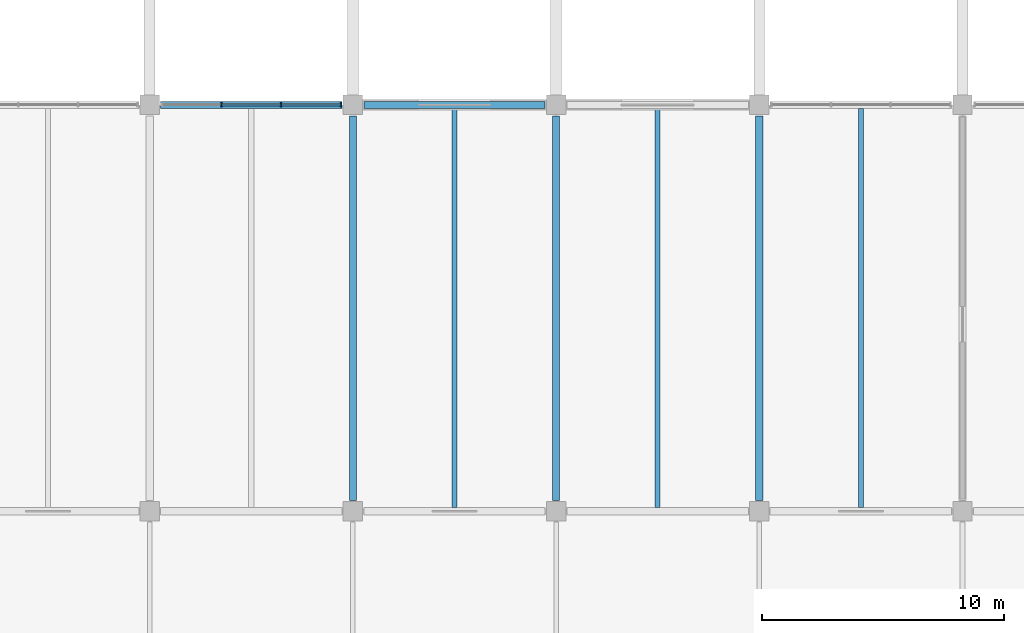
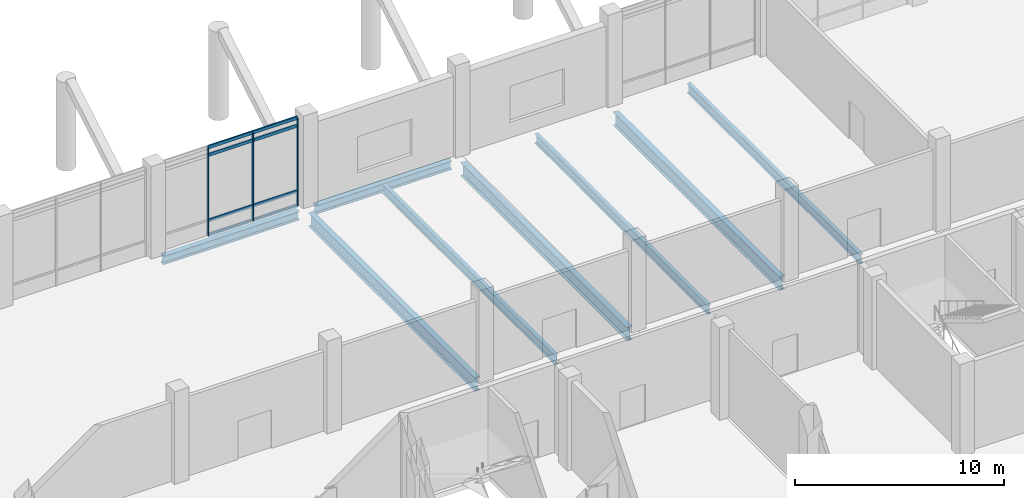
# One storey, part 11 of 72: 11 members, 8 beams, 1 element without a shape of its own.
"""IFC4 building model written with IfcOpenShell, lengths in metres."""

from ifc_helpers import new_model, si_unit, direction, frame, origin, origin_2d, place, context, subcontext, project, spatial, rectangle, i_section, extrude, material, layer, layer_set, material_profile, profile_set, type_object, element, aggregate, save


model = new_model("IFC4")

# Units and contexts
model_context = context("Model", 3, precision=1e-05, world=origin(), true_north=direction((0.0, 1.0)))
body_context = subcontext(model_context, "Body", "Model", "MODEL_VIEW")
ifc_project = project(units=[si_unit("LENGTHUNIT", "METRE"), si_unit("AREAUNIT", "SQUARE_METRE"), si_unit("VOLUMEUNIT", "CUBIC_METRE"), si_unit("PLANEANGLEUNIT", "RADIAN"), si_unit("MASSUNIT", "GRAM", prefix="KILO")], contexts=[model_context])

# Site, building, storey
site_placement = place(None, origin())
site = spatial("IfcSite", under=ifc_project, at=site_placement, CompositionType="ELEMENT")
building_placement = place(site_placement, origin())
building = spatial("IfcBuilding", under=site, at=building_placement, Name="Qawsi Khor Wholesale Market", CompositionType="ELEMENT")
storey_placement = place(building_placement, frame((0.0, 0.0, 6.0)))
storey = spatial("IfcBuildingStorey", under=building, at=storey_placement, Name="L01", CompositionType="ELEMENT", Elevation=6.0)

# Curtain wall, members
ifc_material_1 = material(Name="Aluminium Anodised Bronze", Category="aluminium")
ifc_layer = layer(ifc_material_1, 0.169921875, Name="Aluminium Anodised Bronze")
ifc_layer_set = layer_set([ifc_layer], Name="Aluminium Anodised Bronze")
curtain_wall_type = type_object("IfcCurtainWallType", Name="Central Court Gallery Curtain Wall CW-05", PredefinedType="NOTDEFINED", material=ifc_layer_set)
curtain_wall_placement = place(storey_placement, origin())
curtain_wall = element("IfcCurtainWall", 1, at=curtain_wall_placement, inside=storey, type_object=curtain_wall_type, Name="Curtain wall CW-CW-05-L01-062", PredefinedType="NOTDEFINED")
ifc_material_profile_1 = material_profile(ifc_material_1, rectangle(XDim=0.06005859375, YDim=0.159912109375, at=origin_2d()), Name="ALU MULLION 60x160")
ifc_profile_set_1 = profile_set([ifc_material_profile_1], Name="Aluminium Anodised Bronze")
member_type_1 = type_object("IfcMemberType", Name="Curtain Wall Mullion CW-05 ALU MULLION 60x160", PredefinedType="MULLION", material=ifc_profile_set_1)
member_1_placement = place(storey_placement, frame((95.36669921875, 42.0, -0.02001953125), z_axis=(0.0, 0.0, 1.0), x_axis=(1.0, 0.0, 0.0)))
member_1 = element("IfcMember", 2, at=member_1_placement, type_object=member_type_1, Name="Mullion CW-CW-05-L01-062-M01", PredefinedType="MULLION", context=body_context, shape_type="SweptSolid", body=[
    extrude(rectangle(XDim=0.06005859375, YDim=0.159912109375, at=origin_2d()), origin(), (0.0, 0.0, 1.0), 5.14013671875),
])
member_2_placement = place(storey_placement, frame((97.833251953125, 42.0, -0.02001953125), z_axis=(0.0, 0.0, 1.0), x_axis=(1.0, 0.0, 0.0)))
member_2 = element("IfcMember", 3, at=member_2_placement, type_object=member_type_1, Name="Mullion CW-CW-05-L01-062-M02", PredefinedType="MULLION", context=body_context, shape_type="SweptSolid", body=[
    extrude(rectangle(XDim=0.06005859375, YDim=0.159912109375, at=origin_2d()), origin(), (0.0, 0.0, 1.0), 5.14013671875),
])
member_3_placement = place(storey_placement, frame((100.300048828125, 42.0, -0.02001953125), z_axis=(0.0, 0.0, 1.0), x_axis=(1.0, 0.0, 0.0)))
member_3 = element("IfcMember", 4, at=member_3_placement, type_object=member_type_1, Name="Mullion CW-CW-05-L01-062-M03", PredefinedType="MULLION", context=body_context, shape_type="SweptSolid", body=[
    extrude(rectangle(XDim=0.06005859375, YDim=0.159912109375, at=origin_2d()), origin(), (0.0, 0.0, 1.0), 5.14013671875),
])
ifc_material_profile_2 = material_profile(ifc_material_1, rectangle(XDim=0.080078125, YDim=0.179931640625, at=origin_2d()), Name="ALU TRANSOM 80x180")
ifc_profile_set_2 = profile_set([ifc_material_profile_2], Name="Aluminium Anodised Bronze")
member_type_2 = type_object("IfcMemberType", Name="Curtain Wall Transom CW-05 ALU TRANSOM 80x180", PredefinedType="USERDEFINED", material=ifc_profile_set_2)
member_4_placement = place(storey_placement, frame((95.36669921875, 42.0, 0.0), z_axis=(1.0, 0.0, 0.0), x_axis=(0.0, 1.0, 0.0)))
member_4 = element("IfcMember", 5, at=member_4_placement, type_object=member_type_2, Name="Transom CW-CW-05-L01-062-T0_01", ObjectType="TRANSOM", PredefinedType="USERDEFINED", context=body_context, shape_type="SweptSolid", body=[
    extrude(rectangle(XDim=0.080078125, YDim=0.179931640625, at=origin_2d()), origin(), (0.0, 0.0, 1.0), 2.466552734375),
])
member_5_placement = place(storey_placement, frame((97.833251953125, 42.0, 0.0), z_axis=(1.0, 0.0, 0.0), x_axis=(0.0, 1.0, 0.0)))
member_5 = element("IfcMember", 6, at=member_5_placement, type_object=member_type_2, Name="Transom CW-CW-05-L01-062-T0_02", ObjectType="TRANSOM", PredefinedType="USERDEFINED", context=body_context, shape_type="SweptSolid", body=[
    extrude(rectangle(XDim=0.080078125, YDim=0.179931640625, at=origin_2d()), origin(), (0.0, 0.0, 1.0), 2.466796875),
])
member_6_placement = place(storey_placement, frame((95.36669921875, 42.0, 0.85009765625), z_axis=(1.0, 0.0, 0.0), x_axis=(0.0, 1.0, 0.0)))
member_6 = element("IfcMember", 7, at=member_6_placement, type_object=member_type_2, Name="Transom CW-CW-05-L01-062-T1_01", ObjectType="TRANSOM", PredefinedType="USERDEFINED", context=body_context, shape_type="SweptSolid", body=[
    extrude(rectangle(XDim=0.080078125, YDim=0.179931640625, at=origin_2d()), origin(), (0.0, 0.0, 1.0), 2.466552734375),
])
member_7_placement = place(storey_placement, frame((97.833251953125, 42.0, 0.85009765625), z_axis=(1.0, 0.0, 0.0), x_axis=(0.0, 1.0, 0.0)))
member_7 = element("IfcMember", 8, at=member_7_placement, type_object=member_type_2, Name="Transom CW-CW-05-L01-062-T1_02", ObjectType="TRANSOM", PredefinedType="USERDEFINED", context=body_context, shape_type="SweptSolid", body=[
    extrude(rectangle(XDim=0.080078125, YDim=0.179931640625, at=origin_2d()), origin(), (0.0, 0.0, 1.0), 2.466796875),
])
member_8_placement = place(storey_placement, frame((95.36669921875, 42.0, 4.669921875), z_axis=(1.0, 0.0, 0.0), x_axis=(0.0, 1.0, 0.0)))
member_8 = element("IfcMember", 9, at=member_8_placement, type_object=member_type_2, Name="Transom CW-CW-05-L01-062-T2_01", ObjectType="TRANSOM", PredefinedType="USERDEFINED", context=body_context, shape_type="SweptSolid", body=[
    extrude(rectangle(XDim=0.080078125, YDim=0.179931640625, at=origin_2d()), origin(), (0.0, 0.0, 1.0), 2.466552734375),
])
member_9_placement = place(storey_placement, frame((97.833251953125, 42.0, 4.669921875), z_axis=(1.0, 0.0, 0.0), x_axis=(0.0, 1.0, 0.0)))
member_9 = element("IfcMember", 10, at=member_9_placement, type_object=member_type_2, Name="Transom CW-CW-05-L01-062-T2_02", ObjectType="TRANSOM", PredefinedType="USERDEFINED", context=body_context, shape_type="SweptSolid", body=[
    extrude(rectangle(XDim=0.080078125, YDim=0.179931640625, at=origin_2d()), origin(), (0.0, 0.0, 1.0), 2.466796875),
])
member_10_placement = place(storey_placement, frame((95.36669921875, 42.0, 5.1201171875), z_axis=(1.0, 0.0, 0.0), x_axis=(0.0, 1.0, 0.0)))
member_10 = element("IfcMember", 11, at=member_10_placement, type_object=member_type_2, Name="Transom CW-CW-05-L01-062-T3_01", ObjectType="TRANSOM", PredefinedType="USERDEFINED", context=body_context, shape_type="SweptSolid", body=[
    extrude(rectangle(XDim=0.080078125, YDim=0.179931640625, at=origin_2d()), origin(), (0.0, 0.0, 1.0), 2.466552734375),
])
member_11_placement = place(storey_placement, frame((97.833251953125, 42.0, 5.1201171875), z_axis=(1.0, 0.0, 0.0), x_axis=(0.0, 1.0, 0.0)))
member_11 = element("IfcMember", 12, at=member_11_placement, type_object=member_type_2, Name="Transom CW-CW-05-L01-062-T3_02", ObjectType="TRANSOM", PredefinedType="USERDEFINED", context=body_context, shape_type="SweptSolid", body=[
    extrude(rectangle(XDim=0.080078125, YDim=0.179931640625, at=origin_2d()), origin(), (0.0, 0.0, 1.0), 2.466796875),
])
aggregate(curtain_wall, [member_1, member_2, member_3, member_4, member_5, member_6, member_7, member_8, member_9, member_10, member_11])

# Beams
ifc_material_2 = material(Name="Steel S355", Category="steel")
ifc_material_profile_3 = material_profile(ifc_material_2, i_section(OverallWidth=0.300048828125, OverallDepth=0.5, WebThickness=0.014404296875, FlangeThickness=0.028076171875, FilletRadius=0.027099609375, at=origin_2d()), Name="HEB 500")
ifc_profile_set_3 = profile_set([ifc_material_profile_3], Name="Steel S355")
beam_type_1 = type_object("IfcBeamType", Name="Heavy Edge Girder HEB 500", PredefinedType="BEAM", material=ifc_profile_set_3)
for number, where, z_axis, x_axis, name in (
    (13, (92.85009765625, 42.0, -0.530029296875), (1.0, 0.0, 0.0), (0.0, 1.0, 0.0), "BM-X-L01-11_+05"),
    (14, (101.25, 42.0, -0.530029296875), (1.0, 0.0, 0.0), (0.0, 1.0, 0.0), "BM-X-L01-12_+05"),
):
    element("IfcBeam", number, at=place(storey_placement, frame(where, z_axis=z_axis, x_axis=x_axis)), inside=storey, type_object=beam_type_1, Name=name, PredefinedType="BEAM", context=body_context, shape_type="SweptSolid", body=[
        extrude(i_section(OverallWidth=0.300048828125, OverallDepth=0.5, WebThickness=0.014404296875, FlangeThickness=0.028076171875, FilletRadius=0.027099609375, at=origin_2d()), origin(), (0.0, 0.0, 1.0), 7.5),
    ])
ifc_material_profile_4 = material_profile(ifc_material_2, i_section(OverallWidth=0.300048828125, OverallDepth=0.7900390625, WebThickness=0.014892578125, FlangeThickness=0.028076171875, FilletRadius=0.030029296875, at=origin_2d()), Name="HEA 800")
ifc_profile_set_4 = profile_set([ifc_material_profile_4], Name="Steel S355")
beam_type_2 = type_object("IfcBeamType", Name="Primary Girder HEA 800", PredefinedType="BEAM", material=ifc_profile_set_4)
for number, where, z_axis, x_axis, name in (
    (15, (100.800048828125, 25.64990234375, -0.675048828125), (0.0, 1.0, 0.0), (-1.0, 0.0, 0.0), "BM-YL-L01-12_+03"),
    (16, (109.199951171875, 25.64990234375, -0.675048828125), (0.0, 1.0, 0.0), (-1.0, 0.0, 0.0), "BM-YL-L01-13_+03"),
    (17, (117.60009765625, 25.64990234375, -0.675048828125), (0.0, 1.0, 0.0), (-1.0, 0.0, 0.0), "BM-YL-L01-14_+03"),
):
    element("IfcBeam", number, at=place(storey_placement, frame(where, z_axis=z_axis, x_axis=x_axis)), inside=storey, type_object=beam_type_2, Name=name, PredefinedType="BEAM", context=body_context, shape_type="SweptSolid", body=[
        extrude(i_section(OverallWidth=0.300048828125, OverallDepth=0.7900390625, WebThickness=0.014892578125, FlangeThickness=0.028076171875, FilletRadius=0.030029296875, at=origin_2d()), origin(), (0.0, 0.0, 1.0), 15.900146484375),
    ])
ifc_material_profile_5 = material_profile(ifc_material_2, i_section(OverallWidth=0.2099609375, OverallDepth=0.550048828125, WebThickness=0.010986328125, FlangeThickness=0.01708984375, FilletRadius=0.02392578125, at=origin_2d()), Name="IPE 550")
ifc_profile_set_5 = profile_set([ifc_material_profile_5], Name="Steel S355")
beam_type_3 = type_object("IfcBeamType", Name="Secondary Beam IPE 550", PredefinedType="BEAM", material=ifc_profile_set_5)
for number, where, z_axis, x_axis, name in (
    (18, (105.0, 25.35009765625, -0.554931640625), (0.0, 1.0, 0.0), (-1.0, 0.0, 0.0), "JST-M-L01-12"),
    (19, (113.39990234375, 25.35009765625, -0.554931640625), (0.0, 1.0, 0.0), (-1.0, 0.0, 0.0), "JST-M-L01-13"),
    (20, (121.800048828125, 25.35009765625, -0.554931640625), (0.0, 1.0, 0.0), (-1.0, 0.0, 0.0), "JST-M-L01-14"),
):
    element("IfcBeam", number, at=place(storey_placement, frame(where, z_axis=z_axis, x_axis=x_axis)), inside=storey, type_object=beam_type_3, Name=name, PredefinedType="BEAM", context=body_context, shape_type="SweptSolid", body=[
        extrude(i_section(OverallWidth=0.2099609375, OverallDepth=0.550048828125, WebThickness=0.010986328125, FlangeThickness=0.01708984375, FilletRadius=0.02392578125, at=origin_2d()), origin(), (0.0, 0.0, 1.0), 16.5),
    ])

save(model, "model.ifc")
